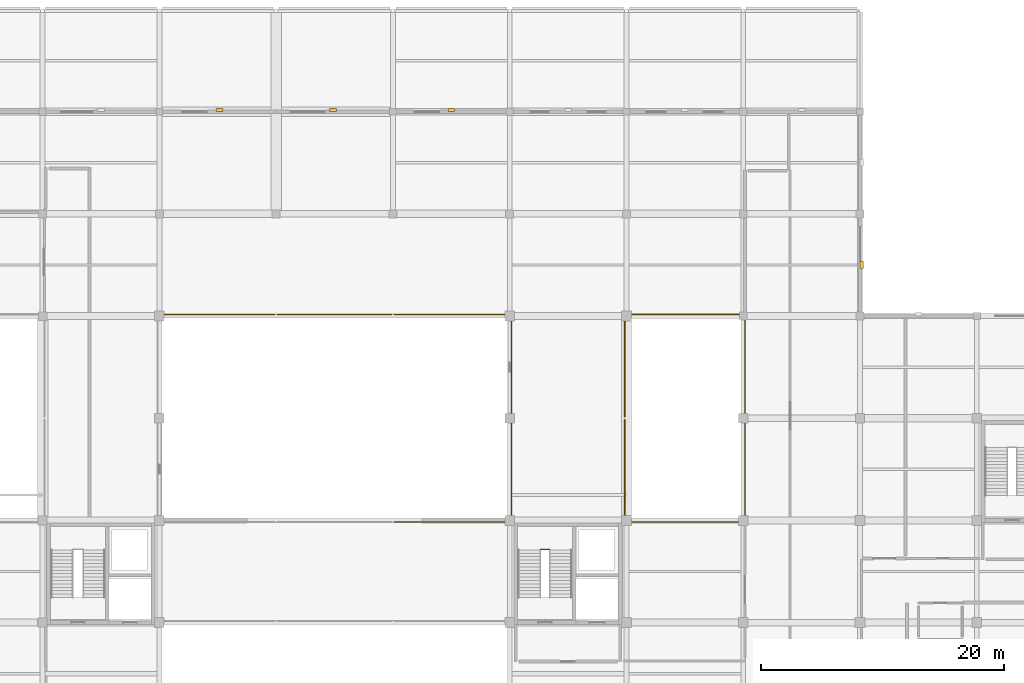
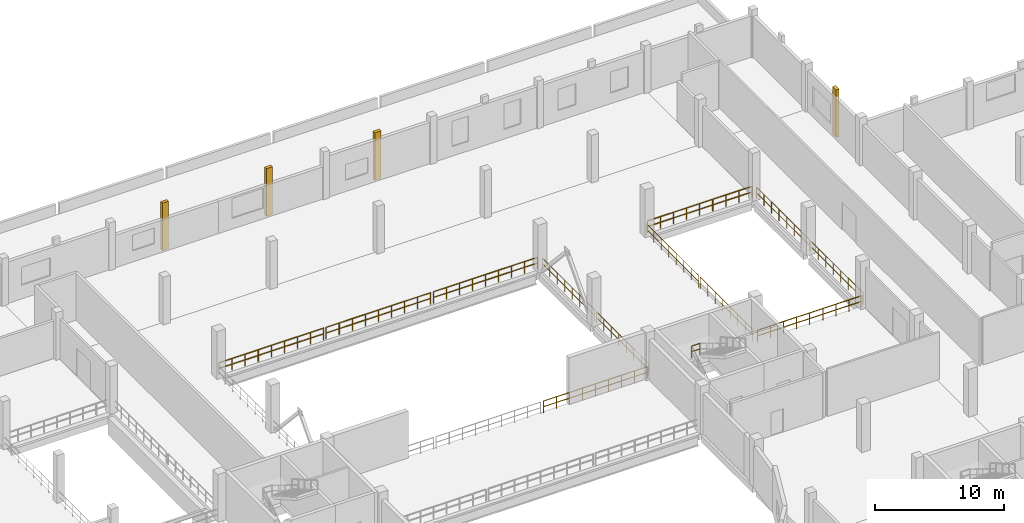
# One storey, part 100 of 102: 13 railings, 4 coverings.
"""IFC4 building model written with IfcOpenShell, lengths in metres."""

import ifcopenshell
import ifcopenshell.guid

model = None  # the IFC model being written
_history = None  # IfcOwnerHistory: only IFC2X3 demands one
_inside = {}  # id of a spatial element -> (the spatial element, [elements in it])
_under = {}  # id of a project, library or spatial element -> (it, [spatial elements below it])
_declared = {}  # id of a project -> (the project, [libraries it declares])
_typed = {}  # id of a type object -> (the type object, [elements of that type])
_made_of = {}  # id of a material, layer set ... -> (it, [elements and type objects made of it])


def new_model(schema):
    """Start an empty IFC model of exactly this schema.

    Asked for "IFC4X3", IfcOpenShell would pick the latest addendum, in which some entities
    have other attributes; the version numbers below select the first issue.
    IFC2X3 requires an IfcOwnerHistory on every rooted entity: one is made here for all.
    """
    global model, _history
    if schema == "IFC4X3":
        model = ifcopenshell.file(schema_version=(4, 3, 0, 0))
    else:
        model = ifcopenshell.file(schema=schema)
    _inside.clear()
    _under.clear()
    _declared.clear()
    _typed.clear()
    _made_of.clear()
    _history = None
    if model.schema == "IFC2X3":
        org = make("IfcOrganization", Name="unknown")
        user = make(
            "IfcPersonAndOrganization",
            ThePerson=make("IfcPerson", FamilyName="unknown"),
            TheOrganization=org,
        )
        app = make(
            "IfcApplication",
            ApplicationDeveloper=org,
            Version="unknown",
            ApplicationFullName="unknown",
            ApplicationIdentifier="unknown",
        )
        _history = make(
            "IfcOwnerHistory",
            OwningUser=user,
            OwningApplication=app,
            ChangeAction="ADDED",
            CreationDate=0,
        )
    return model


def make(cls, **values):
    """One entity of the class cls with the attributes given. An attribute that is None is left unset."""
    return model.create_entity(
        cls, **{name: value for name, value in values.items() if value is not None}
    )


def rooted(cls, **values):
    """An entity with a GlobalId (a new one), such as an element, a storey or a relation."""
    return make(cls, GlobalId=ifcopenshell.guid.new(), OwnerHistory=_history, **values)


def si_unit(unit_type, name, prefix=None):
    """IfcSIUnit, for example si_unit("LENGTHUNIT", "METRE", prefix="MILLI")."""
    return make("IfcSIUnit", UnitType=unit_type, Prefix=prefix, Name=name)


def assignment(units):
    """IfcUnitAssignment: the units of a project."""
    return None if units is None else make("IfcUnitAssignment", Units=units)


def point(xyz):
    """IfcCartesianPoint."""
    return None if xyz is None else make("IfcCartesianPoint", Coordinates=xyz)


def direction(xyz):
    """IfcDirection."""
    return None if xyz is None else make("IfcDirection", DirectionRatios=xyz)


def frame(location, z_axis=None, x_axis=None):
    """IfcAxis2Placement3D, a coordinate frame: its origin and axes. An axis left out is left unset."""
    return make(
        "IfcAxis2Placement3D",
        Location=point(location),
        Axis=direction(z_axis),
        RefDirection=direction(x_axis),
    )


def frame_2d(location, x_axis=None):
    """IfcAxis2Placement2D, a coordinate frame in the plane: its origin and x axis."""
    return make(
        "IfcAxis2Placement2D", Location=point(location), RefDirection=direction(x_axis)
    )


def origin():
    """The frame at (0, 0, 0) with its axes left unset."""
    return frame((0.0, 0.0, 0.0))


def origin_2d():
    """The frame at (0, 0) in the plane with its x axis left unset."""
    return frame_2d((0.0, 0.0))


def place(relative_to, where):
    """IfcLocalPlacement: puts the frame where relative to a parent placement (None: the world)."""
    return make(
        "IfcLocalPlacement", PlacementRelTo=relative_to, RelativePlacement=where
    )


def context(
    kind, dimensions, precision=None, world=None, true_north=None, identifier=None
):
    """IfcGeometricRepresentationContext, for example the 3D "Model" context."""
    return make(
        "IfcGeometricRepresentationContext",
        ContextIdentifier=identifier,
        ContextType=kind,
        CoordinateSpaceDimension=dimensions,
        Precision=precision,
        WorldCoordinateSystem=world,
        TrueNorth=true_north,
    )


def subcontext(parent, identifier, kind, view, scale=None):
    """IfcGeometricRepresentationSubContext, for example "Body" below "Model"."""
    return make(
        "IfcGeometricRepresentationSubContext",
        ContextIdentifier=identifier,
        ContextType=kind,
        ParentContext=parent,
        TargetScale=scale,
        TargetView=view,
    )


def project(units=None, contexts=None):
    """IfcProject with its units and contexts."""
    return rooted(
        "IfcProject",
        Name="project",
        RepresentationContexts=contexts,
        UnitsInContext=assignment(units),
    )


def spatial(cls, under=None, at=None, **own):
    """A site, building, storey or space (cls), placed at a placement, below another one or the project."""
    s = rooted(cls, ObjectPlacement=at, **own)
    if under is not None:
        _under.setdefault(under.id(), (under, []))[1].append(s)
    return s


def polyline(points):
    """IfcPolyline through the points."""
    return make("IfcPolyline", Points=[point(p) for p in points])


def profile(cls, at=None, kind="AREA", **sizes):
    """A parametric profile (cls). Its sizes go by their IFC names, for example OverallWidth=200.0."""
    return make(cls, ProfileType=kind, Position=at, **sizes)


def circle(**sizes):
    """IfcCircleProfileDef."""
    return profile("IfcCircleProfileDef", **sizes)


def outline(outer, holes=None, kind="AREA"):
    """IfcArbitraryClosedProfileDef: a profile drawn as a closed curve; with holes, ...WithVoids."""
    if holes is None:
        return make("IfcArbitraryClosedProfileDef", ProfileType=kind, OuterCurve=outer)
    return make(
        "IfcArbitraryProfileDefWithVoids",
        ProfileType=kind,
        OuterCurve=outer,
        InnerCurves=holes,
    )


def extrude(swept, where, along, depth):
    """IfcExtrudedAreaSolid: the profile swept, set in the frame where, extruded along a direction by depth."""
    return make(
        "IfcExtrudedAreaSolid",
        SweptArea=swept,
        Position=where,
        ExtrudedDirection=direction(along),
        Depth=depth,
    )


def shape(context_of_items, identifier, shape_type, items):
    """IfcShapeRepresentation: the items that make up one representation, for example the "Body"."""
    return make(
        "IfcShapeRepresentation",
        ContextOfItems=context_of_items,
        RepresentationIdentifier=identifier,
        RepresentationType=shape_type,
        Items=items,
    )


def material(Name=None, Category=None):
    """IfcMaterial."""
    return make("IfcMaterial", Name=Name, Category=Category)


def layer(
    of_material, thickness, ventilated=None, Name=None, Category=None, Priority=None
):
    """IfcMaterialLayer: one layer of a wall or slab, of a material (None: an air gap)."""
    return make(
        "IfcMaterialLayer",
        Material=of_material,
        LayerThickness=thickness,
        IsVentilated=ventilated,
        Name=Name,
        Category=Category,
        Priority=Priority,
    )


def layer_set(layers, Name=None):
    """IfcMaterialLayerSet."""
    return make("IfcMaterialLayerSet", MaterialLayers=layers, LayerSetName=Name)


def made_of(thing, what):
    """Note that an element or type object is made of a material, layer set ...; save() writes the relation."""
    if what is not None:
        _made_of.setdefault(what.id(), (what, []))[1].append(thing)
    return thing


def type_object(cls, material=None, **own):
    """A type object (cls), such as IfcWallType, which elements share."""
    return made_of(rooted(cls, **own), material)


def element(
    cls,
    number,
    at=None,
    inside=None,
    cuts=None,
    type_object=None,
    material=None,
    context=None,
    identifier="Body",
    shape_type=None,
    held_by="IfcProductDefinitionShape",
    body=None,
    shapes=None,
    **own,
):
    """One element of the class cls, such as IfcWall. Its Tag is "e" and its number.

    at: its placement. inside: the storey or other place that contains it. cuts: it is an
    opening in that element (IfcRelVoidsElement). A single representation is given by context,
    identifier, shape_type and body (its items); several are given by shapes. held_by: the class
    of the entity that holds the representations. save() writes the other relations.
    """
    e = rooted(cls, Tag="e%d" % number, ObjectPlacement=at, **own)
    if body is not None:
        shapes = [shape(context, identifier, shape_type, body)]
    if shapes is not None:
        e.Representation = make(held_by, Representations=shapes)
    if inside is not None:
        _inside.setdefault(inside.id(), (inside, []))[1].append(e)
    if cuts is not None:
        rooted(
            "IfcRelVoidsElement", RelatingBuildingElement=cuts, RelatedOpeningElement=e
        )
    if type_object is not None:
        _typed.setdefault(type_object.id(), (type_object, []))[1].append(e)
    return made_of(e, material)


def aggregate(whole, parts):
    """IfcRelAggregates: a whole, such as a stair, and the parts it consists of."""
    return rooted("IfcRelAggregates", RelatingObject=whole, RelatedObjects=parts)


def save(model, path):
    """Write the relations noted so far, then the file.

    IfcRelAggregates (storeys below a building ...), IfcRelContainedInSpatialStructure (elements
    in a storey), IfcRelDefinesByType, IfcRelAssociatesMaterial and IfcRelDeclares: one each for
    every whole, place, type object, material and project.
    """
    for whole, parts in _under.values():
        aggregate(whole, parts)
    for where, things in _inside.values():
        rooted(
            "IfcRelContainedInSpatialStructure",
            RelatedElements=things,
            RelatingStructure=where,
        )
    for kind, things in _typed.values():
        rooted("IfcRelDefinesByType", RelatedObjects=things, RelatingType=kind)
    for what, things in _made_of.values():
        rooted("IfcRelAssociatesMaterial", RelatedObjects=things, RelatingMaterial=what)
    for by, libraries in _declared.values():
        rooted("IfcRelDeclares", RelatingContext=by, RelatedDefinitions=libraries)
    model.write(path)


model = new_model("IFC4")

# Units and contexts
model_context = context("Model", 3, precision=1e-05, world=origin(), true_north=direction((0.0, 1.0)))
body_context = subcontext(model_context, "Body", "Model", "MODEL_VIEW")
ifc_project = project(units=[si_unit("LENGTHUNIT", "METRE"), si_unit("AREAUNIT", "SQUARE_METRE"), si_unit("VOLUMEUNIT", "CUBIC_METRE"), si_unit("PLANEANGLEUNIT", "RADIAN"), si_unit("MASSUNIT", "GRAM", prefix="KILO")], contexts=[model_context])

# Site, building, storey
site_placement = place(None, origin())
site = spatial("IfcSite", under=ifc_project, at=site_placement, CompositionType="ELEMENT")
building_placement = place(site_placement, origin())
building = spatial("IfcBuilding", under=site, at=building_placement, Name="Lornevale Opera House", CompositionType="ELEMENT")
storey_placement = place(building_placement, frame((0.0, 0.0, 5.39990234375)))
storey = spatial("IfcBuildingStorey", under=building, at=storey_placement, Name="L02", CompositionType="ELEMENT", Elevation=5.39990234375)

# Railings
ifc_material_1 = material(Name="Structural Steel CSA G40.21 Grade 350W (350 MPa)", Category="steel")
ifc_layer_1 = layer(ifc_material_1, 0.06005859375)
ifc_layer_set_1 = layer_set([ifc_layer_1], Name="Structural Steel CSA G40.21 Grade 350W (350 MPa)")
railing_type_1 = type_object("IfcRailingType", Name="Atrium Acoustic Balustrade 1120", PredefinedType="BALUSTRADE", material=ifc_layer_set_1)
railing_1_placement = place(storey_placement, frame((67.320068359375, 84.139892578125, 0.0)))
element("IfcRailing", 1, at=railing_1_placement, inside=storey, type_object=railing_type_1, Name="Atrium & Bowl Balustrade L02 0323", PredefinedType="BALUSTRADE", context=body_context, shape_type="SweptSolid", body=[
    extrude(circle(Radius=0.02392578125, at=origin_2d()), frame((0.0, 0.0, 1.09619140625), z_axis=(1.0, 0.0, 0.0), x_axis=(0.0, 1.0, 0.0)), (0.0, 0.0, 1.0), 9.35986328125),
    extrude(circle(Radius=0.02392578125, at=origin_2d()), frame((0.0, 0.0, 0.56005859375), z_axis=(1.0, 0.0, 0.0), x_axis=(0.0, 1.0, 0.0)), (0.0, 0.0, 1.0), 9.35986328125),
    extrude(circle(Radius=0.02099609375, at=origin_2d()), origin(), (0.0, 0.0, 1.0), 1.072021484375),
    extrude(circle(Radius=0.02099609375, at=origin_2d()), frame((1.169921875, 0.0, 0.0)), (0.0, 0.0, 1.0), 1.072021484375),
    extrude(circle(Radius=0.02099609375, at=origin_2d()), frame((2.33984375, 0.0, 0.0)), (0.0, 0.0, 1.0), 1.072021484375),
    extrude(circle(Radius=0.02099609375, at=origin_2d()), frame((3.510009765625, 0.0, 0.0)), (0.0, 0.0, 1.0), 1.072021484375),
    extrude(circle(Radius=0.02099609375, at=origin_2d()), frame((4.679931640625, 0.0, 0.0)), (0.0, 0.0, 1.0), 1.072021484375),
    extrude(circle(Radius=0.02099609375, at=origin_2d()), frame((5.849853515625, 0.0, 0.0)), (0.0, 0.0, 1.0), 1.072021484375),
    extrude(circle(Radius=0.02099609375, at=origin_2d()), frame((7.02001953125, 0.0, 0.0)), (0.0, 0.0, 1.0), 1.072021484375),
    extrude(circle(Radius=0.02099609375, at=origin_2d()), frame((8.18994140625, 0.0, 0.0)), (0.0, 0.0, 1.0), 1.072021484375),
    extrude(circle(Radius=0.02099609375, at=origin_2d()), frame((9.35986328125, 0.0, 0.0)), (0.0, 0.0, 1.0), 1.072021484375),
])
railing_2_placement = place(storey_placement, frame((76.919921875, 84.139892578125, 0.0)))
element("IfcRailing", 2, at=railing_2_placement, inside=storey, type_object=railing_type_1, Name="Atrium & Bowl Balustrade L02 0328", PredefinedType="BALUSTRADE", context=body_context, shape_type="SweptSolid", body=[
    extrude(circle(Radius=0.02392578125, at=origin_2d()), frame((0.0, 0.0, 1.09619140625), z_axis=(1.0, 0.0, 0.0), x_axis=(0.0, 1.0, 0.0)), (0.0, 0.0, 1.0), 9.360107421875),
    extrude(circle(Radius=0.02392578125, at=origin_2d()), frame((0.0, 0.0, 0.56005859375), z_axis=(1.0, 0.0, 0.0), x_axis=(0.0, 1.0, 0.0)), (0.0, 0.0, 1.0), 9.360107421875),
    extrude(circle(Radius=0.02099609375, at=origin_2d()), origin(), (0.0, 0.0, 1.0), 1.072021484375),
    extrude(circle(Radius=0.02099609375, at=origin_2d()), frame((1.169921875, 0.0, 0.0)), (0.0, 0.0, 1.0), 1.072021484375),
    extrude(circle(Radius=0.02099609375, at=origin_2d()), frame((2.340087890625, 0.0, 0.0)), (0.0, 0.0, 1.0), 1.072021484375),
    extrude(circle(Radius=0.02099609375, at=origin_2d()), frame((3.510009765625, 0.0, 0.0)), (0.0, 0.0, 1.0), 1.072021484375),
    extrude(circle(Radius=0.02099609375, at=origin_2d()), frame((4.68017578125, 0.0, 0.0)), (0.0, 0.0, 1.0), 1.072021484375),
    extrude(circle(Radius=0.02099609375, at=origin_2d()), frame((5.85009765625, 0.0, 0.0)), (0.0, 0.0, 1.0), 1.072021484375),
    extrude(circle(Radius=0.02099609375, at=origin_2d()), frame((7.02001953125, 0.0, 0.0)), (0.0, 0.0, 1.0), 1.072021484375),
    extrude(circle(Radius=0.02099609375, at=origin_2d()), frame((8.190185546875, 0.0, 0.0)), (0.0, 0.0, 1.0), 1.072021484375),
    extrude(circle(Radius=0.02099609375, at=origin_2d()), frame((9.360107421875, 0.0, 0.0)), (0.0, 0.0, 1.0), 1.072021484375),
])
for number, where, name in (
    (3, (86.52001953125, 67.06005859375, 0.0), "Atrium & Bowl Balustrade L02 0332"),
    (4, (86.52001953125, 84.139892578125, 0.0), "Atrium & Bowl Balustrade L02 0333"),
):
    element("IfcRailing", number, at=place(storey_placement, frame(where)), inside=storey, type_object=railing_type_1, Name=name, PredefinedType="BALUSTRADE", context=body_context, shape_type="SweptSolid", body=[
        extrude(circle(Radius=0.02392578125, at=origin_2d()), frame((0.0, 0.0, 1.09619140625), z_axis=(1.0, 0.0, 0.0), x_axis=(0.0, 1.0, 0.0)), (0.0, 0.0, 1.0), 9.35986328125),
        extrude(circle(Radius=0.02392578125, at=origin_2d()), frame((0.0, 0.0, 0.56005859375), z_axis=(1.0, 0.0, 0.0), x_axis=(0.0, 1.0, 0.0)), (0.0, 0.0, 1.0), 9.35986328125),
        extrude(circle(Radius=0.02099609375, at=origin_2d()), origin(), (0.0, 0.0, 1.0), 1.072021484375),
        extrude(circle(Radius=0.02099609375, at=origin_2d()), frame((1.169921875, 0.0, 0.0)), (0.0, 0.0, 1.0), 1.072021484375),
        extrude(circle(Radius=0.02099609375, at=origin_2d()), frame((2.33984375, 0.0, 0.0)), (0.0, 0.0, 1.0), 1.072021484375),
        extrude(circle(Radius=0.02099609375, at=origin_2d()), frame((3.510009765625, 0.0, 0.0)), (0.0, 0.0, 1.0), 1.072021484375),
        extrude(circle(Radius=0.02099609375, at=origin_2d()), frame((4.679931640625, 0.0, 0.0)), (0.0, 0.0, 1.0), 1.072021484375),
        extrude(circle(Radius=0.02099609375, at=origin_2d()), frame((5.849853515625, 0.0, 0.0)), (0.0, 0.0, 1.0), 1.072021484375),
        extrude(circle(Radius=0.02099609375, at=origin_2d()), frame((7.02001953125, 0.0, 0.0)), (0.0, 0.0, 1.0), 1.072021484375),
        extrude(circle(Radius=0.02099609375, at=origin_2d()), frame((8.18994140625, 0.0, 0.0)), (0.0, 0.0, 1.0), 1.072021484375),
        extrude(circle(Radius=0.02099609375, at=origin_2d()), frame((9.35986328125, 0.0, 0.0)), (0.0, 0.0, 1.0), 1.072021484375),
    ])
for number, where, name in (
    (5, (96.139892578125, 67.320068359375, 0.0), "Atrium & Bowl Balustrade L02 0336"),
    (6, (105.4599609375, 67.320068359375, 0.0), "Atrium & Bowl Balustrade L02 0337"),
    (7, (96.139892578125, 75.719970703125, 0.0), "Atrium & Bowl Balustrade L02 0338"),
    (8, (105.4599609375, 75.719970703125, 0.0), "Atrium & Bowl Balustrade L02 0339"),
):
    element("IfcRailing", number, at=place(storey_placement, frame(where)), inside=storey, type_object=railing_type_1, Name=name, PredefinedType="BALUSTRADE", context=body_context, shape_type="SweptSolid", body=[
        extrude(circle(Radius=0.02392578125, at=origin_2d()), frame((0.0, 0.0, 1.09619140625), z_axis=(0.0, 1.0, 0.0), x_axis=(-1.0, 0.0, 0.0)), (0.0, 0.0, 1.0), 8.159912109375),
        extrude(circle(Radius=0.02392578125, at=origin_2d()), frame((0.0, 0.0, 0.56005859375), z_axis=(0.0, 1.0, 0.0), x_axis=(-1.0, 0.0, 0.0)), (0.0, 0.0, 1.0), 8.159912109375),
        extrude(circle(Radius=0.02099609375, at=origin_2d()), origin(), (0.0, 0.0, 1.0), 1.072021484375),
        extrude(circle(Radius=0.02099609375, at=origin_2d()), frame((0.0, 1.165771484375, 0.0)), (0.0, 0.0, 1.0), 1.072021484375),
        extrude(circle(Radius=0.02099609375, at=origin_2d()), frame((0.0, 2.331298828125, 0.0)), (0.0, 0.0, 1.0), 1.072021484375),
        extrude(circle(Radius=0.02099609375, at=origin_2d()), frame((0.0, 3.4970703125, 0.0)), (0.0, 0.0, 1.0), 1.072021484375),
        extrude(circle(Radius=0.02099609375, at=origin_2d()), frame((0.0, 4.662841796875, 0.0)), (0.0, 0.0, 1.0), 1.072021484375),
        extrude(circle(Radius=0.02099609375, at=origin_2d()), frame((0.0, 5.82861328125, 0.0)), (0.0, 0.0, 1.0), 1.072021484375),
        extrude(circle(Radius=0.02099609375, at=origin_2d()), frame((0.0, 6.994140625, 0.0)), (0.0, 0.0, 1.0), 1.072021484375),
        extrude(circle(Radius=0.02099609375, at=origin_2d()), frame((0.0, 8.159912109375, 0.0)), (0.0, 0.0, 1.0), 1.072021484375),
    ])
for number, where, name in (
    (9, (105.719970703125, 67.06005859375, 0.0), "Atrium & Bowl Balustrade L02 0340"),
    (10, (105.719970703125, 84.139892578125, 0.0), "Atrium & Bowl Balustrade L02 0341"),
):
    element("IfcRailing", number, at=place(storey_placement, frame(where)), inside=storey, type_object=railing_type_1, Name=name, PredefinedType="BALUSTRADE", context=body_context, shape_type="SweptSolid", body=[
        extrude(circle(Radius=0.02392578125, at=origin_2d()), frame((0.0, 0.0, 1.09619140625), z_axis=(1.0, 0.0, 0.0), x_axis=(0.0, 1.0, 0.0)), (0.0, 0.0, 1.0), 9.360107421875),
        extrude(circle(Radius=0.02392578125, at=origin_2d()), frame((0.0, 0.0, 0.56005859375), z_axis=(1.0, 0.0, 0.0), x_axis=(0.0, 1.0, 0.0)), (0.0, 0.0, 1.0), 9.360107421875),
        extrude(circle(Radius=0.02099609375, at=origin_2d()), origin(), (0.0, 0.0, 1.0), 1.072021484375),
        extrude(circle(Radius=0.02099609375, at=origin_2d()), frame((1.169921875, 0.0, 0.0)), (0.0, 0.0, 1.0), 1.072021484375),
        extrude(circle(Radius=0.02099609375, at=origin_2d()), frame((2.340087890625, 0.0, 0.0)), (0.0, 0.0, 1.0), 1.072021484375),
        extrude(circle(Radius=0.02099609375, at=origin_2d()), frame((3.510009765625, 0.0, 0.0)), (0.0, 0.0, 1.0), 1.072021484375),
        extrude(circle(Radius=0.02099609375, at=origin_2d()), frame((4.68017578125, 0.0, 0.0)), (0.0, 0.0, 1.0), 1.072021484375),
        extrude(circle(Radius=0.02099609375, at=origin_2d()), frame((5.85009765625, 0.0, 0.0)), (0.0, 0.0, 1.0), 1.072021484375),
        extrude(circle(Radius=0.02099609375, at=origin_2d()), frame((7.02001953125, 0.0, 0.0)), (0.0, 0.0, 1.0), 1.072021484375),
        extrude(circle(Radius=0.02099609375, at=origin_2d()), frame((8.190185546875, 0.0, 0.0)), (0.0, 0.0, 1.0), 1.072021484375),
        extrude(circle(Radius=0.02099609375, at=origin_2d()), frame((9.360107421875, 0.0, 0.0)), (0.0, 0.0, 1.0), 1.072021484375),
    ])
for number, where, name in (
    (11, (115.340087890625, 67.320068359375, 0.0), "Atrium & Bowl Balustrade L02 0342"),
    (12, (115.340087890625, 75.719970703125, 0.0), "Atrium & Bowl Balustrade L02 0343"),
):
    element("IfcRailing", number, at=place(storey_placement, frame(where)), inside=storey, type_object=railing_type_1, Name=name, PredefinedType="BALUSTRADE", context=body_context, shape_type="SweptSolid", body=[
        extrude(circle(Radius=0.02392578125, at=origin_2d()), frame((0.0, 0.0, 1.09619140625), z_axis=(0.0, 1.0, 0.0), x_axis=(-1.0, 0.0, 0.0)), (0.0, 0.0, 1.0), 8.159912109375),
        extrude(circle(Radius=0.02392578125, at=origin_2d()), frame((0.0, 0.0, 0.56005859375), z_axis=(0.0, 1.0, 0.0), x_axis=(-1.0, 0.0, 0.0)), (0.0, 0.0, 1.0), 8.159912109375),
        extrude(circle(Radius=0.02099609375, at=origin_2d()), origin(), (0.0, 0.0, 1.0), 1.072021484375),
        extrude(circle(Radius=0.02099609375, at=origin_2d()), frame((0.0, 1.165771484375, 0.0)), (0.0, 0.0, 1.0), 1.072021484375),
        extrude(circle(Radius=0.02099609375, at=origin_2d()), frame((0.0, 2.331298828125, 0.0)), (0.0, 0.0, 1.0), 1.072021484375),
        extrude(circle(Radius=0.02099609375, at=origin_2d()), frame((0.0, 3.4970703125, 0.0)), (0.0, 0.0, 1.0), 1.072021484375),
        extrude(circle(Radius=0.02099609375, at=origin_2d()), frame((0.0, 4.662841796875, 0.0)), (0.0, 0.0, 1.0), 1.072021484375),
        extrude(circle(Radius=0.02099609375, at=origin_2d()), frame((0.0, 5.82861328125, 0.0)), (0.0, 0.0, 1.0), 1.072021484375),
        extrude(circle(Radius=0.02099609375, at=origin_2d()), frame((0.0, 6.994140625, 0.0)), (0.0, 0.0, 1.0), 1.072021484375),
        extrude(circle(Radius=0.02099609375, at=origin_2d()), frame((0.0, 8.159912109375, 0.0)), (0.0, 0.0, 1.0), 1.072021484375),
    ])

# Coverings
ifc_material_2 = material(Name="Precast Concrete 40 MPa (CSA A23.1 C-1)", Category="concrete")
ifc_layer_2 = layer(ifc_material_2, 0.260009765625)
ifc_layer_set_2 = layer_set([ifc_layer_2], Name="Precast Concrete 40 MPa (CSA A23.1 C-1)")
covering_type = type_object("IfcCoveringType", Name="Postmodern Sandstone Pilaster Rib", PredefinedType="CLADDING", material=ifc_layer_set_2)
covering_1_placement = place(storey_placement, origin())
element("IfcCovering", 13, at=covering_1_placement, inside=storey, type_object=covering_type, Name="Postmodern Sandstone Pilaster 0219", PredefinedType="CLADDING", context=body_context, shape_type="SweptSolid", body=[
    extrude(outline(polyline([(71.85498046875, 100.800048828125), (72.4150390625, 100.800048828125), (72.4150390625, 101.080078125), (71.85498046875, 101.080078125), (71.85498046875, 100.800048828125)])), origin(), (0.0, 0.0, 1.0), 4.52001953125),
])
covering_2_placement = place(storey_placement, origin())
element("IfcCovering", 14, at=covering_2_placement, inside=storey, type_object=covering_type, Name="Postmodern Sandstone Pilaster 0220", PredefinedType="CLADDING", context=body_context, shape_type="SweptSolid", body=[
    extrude(outline(polyline([(81.18505859375, 100.800048828125), (81.7451171875, 100.800048828125), (81.7451171875, 101.080078125), (81.18505859375, 101.080078125), (81.18505859375, 100.800048828125)])), origin(), (0.0, 0.0, 1.0), 4.52001953125),
])
covering_3_placement = place(storey_placement, origin())
element("IfcCovering", 15, at=covering_3_placement, inside=storey, type_object=covering_type, Name="Postmodern Sandstone Pilaster 0221", PredefinedType="CLADDING", context=body_context, shape_type="SweptSolid", body=[
    extrude(outline(polyline([(90.907958984375, 100.800048828125), (91.468017578125, 100.800048828125), (91.468017578125, 101.080078125), (90.907958984375, 101.080078125), (90.907958984375, 100.800048828125)])), origin(), (0.0, 0.0, 1.0), 4.52001953125),
])
covering_4_placement = place(storey_placement, origin())
element("IfcCovering", 16, at=covering_4_placement, inside=storey, type_object=covering_type, Name="Postmodern Sandstone Pilaster 0227", PredefinedType="CLADDING", context=body_context, shape_type="SweptSolid", body=[
    extrude(outline(polyline([(124.800048828125, 88.47998046875), (124.800048828125, 87.919921875), (125.080078125, 87.919921875), (125.080078125, 88.47998046875), (124.800048828125, 88.47998046875)])), origin(), (0.0, 0.0, 1.0), 4.52001953125),
])

# Railing
ifc_layer_3 = layer(ifc_material_1, 0.050048828125)
ifc_layer_set_3 = layer_set([ifc_layer_3], Name="Structural Steel CSA G40.21 Grade 350W (350 MPa)")
railing_type_2 = type_object("IfcRailingType", Name="Stair Well Guardrail 1100", PredefinedType="GUARDRAIL", material=ifc_layer_set_3)
railing_3_placement = place(storey_placement, frame((98.52001953125, 64.81005859375, 2.400146484375)))
element("IfcRailing", 17, at=railing_3_placement, inside=storey, type_object=railing_type_2, Name="ST-23 Half-Landing Slot Guard", PredefinedType="GUARDRAIL", context=body_context, shape_type="SweptSolid", body=[
    extrude(circle(Radius=0.02392578125, at=origin_2d()), frame((0.0, 0.0, 1.076171875), z_axis=(1.0, 0.0, 0.0), x_axis=(0.0, 1.0, 0.0)), (0.0, 0.0, 1.0), 0.760009765625),
    extrude(circle(Radius=0.02392578125, at=origin_2d()), frame((0.0, 0.0, 0.550048828125), z_axis=(1.0, 0.0, 0.0), x_axis=(0.0, 1.0, 0.0)), (0.0, 0.0, 1.0), 0.760009765625),
    extrude(circle(Radius=0.02099609375, at=origin_2d()), origin(), (0.0, 0.0, 1.0), 1.052001953125),
    extrude(circle(Radius=0.02099609375, at=origin_2d()), frame((0.760009765625, 0.0, 0.0)), (0.0, 0.0, 1.0), 1.052001953125),
])

save(model, "model.ifc")
